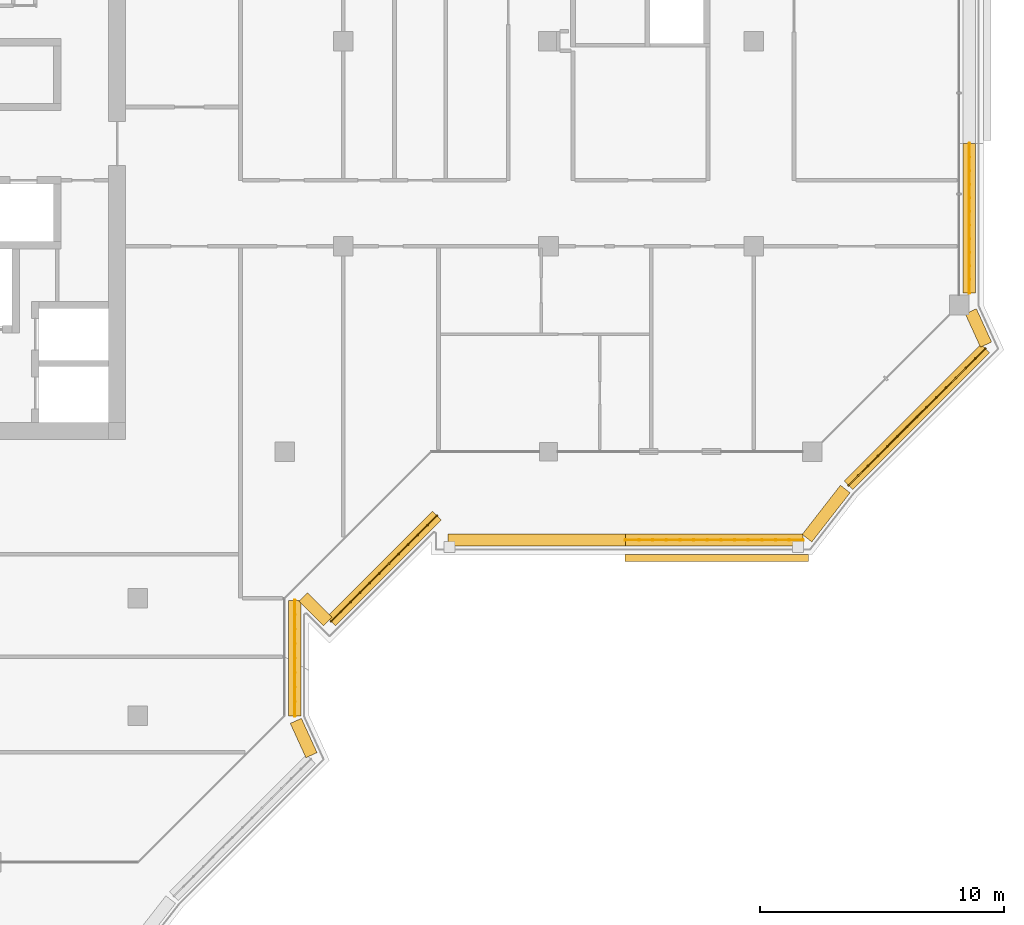
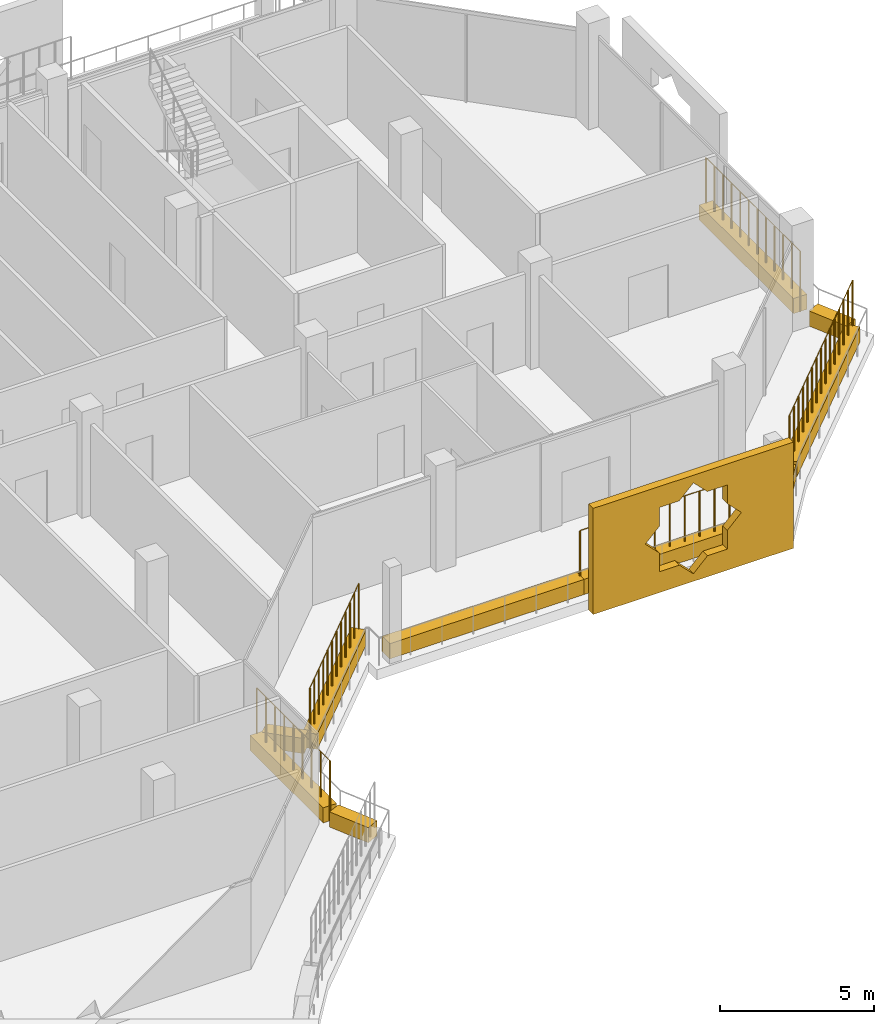
# One storey, part 18 of 21: 11 coverings, 5 railings.
"""IFC4 building model written with IfcOpenShell, lengths in metres."""

from ifc_helpers import new_model, si_unit, direction, frame, origin, origin_2d, place, context, subcontext, project, spatial, polyline, rectangle, circle, outline, extrude, material, material_profile, profile_set, type_object, element, save


model = new_model("IFC4")

# Units and contexts
model_context = context("Model", 3, precision=1e-05, world=origin(), true_north=direction((0.0, 1.0)))
body_context = subcontext(model_context, "Body", "Model", "MODEL_VIEW")
ifc_project = project(units=[si_unit("LENGTHUNIT", "METRE"), si_unit("AREAUNIT", "SQUARE_METRE"), si_unit("VOLUMEUNIT", "CUBIC_METRE"), si_unit("PLANEANGLEUNIT", "RADIAN"), si_unit("MASSUNIT", "GRAM", prefix="KILO")], contexts=[model_context])

# Site, building, storey
site_placement = place(None, origin())
site = spatial("IfcSite", under=ifc_project, at=site_placement, CompositionType="ELEMENT")
building_placement = place(site_placement, origin())
building = spatial("IfcBuilding", under=site, at=building_placement, Name="Kawkab Arch Medical Tower", CompositionType="ELEMENT")
storey_placement = place(building_placement, frame((0.0, 0.0, 319.60009765625)))
storey = spatial("IfcBuildingStorey", under=building, at=storey_placement, Name="L74", CompositionType="ELEMENT", Elevation=319.60009765625)

# Coverings
ifc_material_1 = material(Name="Bronze anodised aluminium mashrabiya panel, eight-point star pattern", Category="aluminium")
ifc_material_profile_1 = material_profile(ifc_material_1, outline(polyline([(-3.75, -2.10009765625), (3.75, -2.10009765625), (3.75, 2.10009765625), (-3.75, 2.10009765625), (-3.75, -2.10009765625)]), holes=[polyline([(1.800048828125, 0.0), (1.272705078125, 0.527099609375), (1.272705078125, 1.272705078125), (0.527099609375, 1.272705078125), (0.0, 1.800048828125), (-0.527099609375, 1.272705078125), (-1.272705078125, 1.272705078125), (-1.272705078125, 0.527099609375), (-1.800048828125, 0.0), (-1.272705078125, -0.527099609375), (-1.272705078125, -1.272705078125), (-0.527099609375, -1.272705078125), (0.0, -1.800048828125), (0.527099609375, -1.272705078125), (1.272705078125, -1.272705078125), (1.272705078125, -0.527099609375), (1.800048828125, 0.0)])]), Name="Mashrabiya panel 7500x4200")
ifc_profile_set_1 = profile_set([ifc_material_profile_1], Name="Bronze anodised aluminium mashrabiya panel, eight-point star pattern")
covering_type_1 = type_object("IfcCoveringType", Name="Mashrabiya panel 7500 x 4200", PredefinedType="USERDEFINED", material=ifc_profile_set_1)
covering_1_placement = place(storey_placement, frame((48.87890625, -29.39990234375, 1.699951171875), z_axis=(0.0, -1.0, 0.0), x_axis=(1.0, 0.0, 0.0)))
element("IfcCovering", 1, at=covering_1_placement, inside=storey, type_object=covering_type_1, Name="Mashrabiya panel L74.LOG-01-01.7", ObjectType="SCREEN", PredefinedType="USERDEFINED", context=body_context, shape_type="SweptSolid", body=[
    extrude(outline(polyline([(-3.75, -2.10009765625), (3.75, -2.10009765625), (3.75, 2.10009765625), (-3.75, 2.10009765625), (-3.75, -2.10009765625)]), holes=[polyline([(1.800048828125, 0.0), (1.272705078125, 0.527099609375), (1.272705078125, 1.272705078125), (0.527099609375, 1.272705078125), (0.0, 1.800048828125), (-0.527099609375, 1.272705078125), (-1.272705078125, 1.272705078125), (-1.272705078125, 0.527099609375), (-1.800048828125, 0.0), (-1.272705078125, -0.527099609375), (-1.272705078125, -1.272705078125), (-0.527099609375, -1.272705078125), (0.0, -1.800048828125), (0.527099609375, -1.272705078125), (1.272705078125, -1.272705078125), (1.272705078125, -0.527099609375), (1.800048828125, 0.0)])]), origin(), (0.0, 0.0, 1.0), 0.300048828125),
])
ifc_material_2 = material(Name="Planting soil in a precast trough", Category="concrete")
ifc_material_profile_2 = material_profile(ifc_material_2, rectangle(XDim=0.5, YDim=0.60009765625, at=origin_2d()), Name="Trough 500x600")
ifc_profile_set_2 = profile_set([ifc_material_profile_2], Name="Planting soil in a precast trough")
covering_type_2 = type_object("IfcCoveringType", Name="Planter trough 500 x 600", PredefinedType="USERDEFINED", material=ifc_profile_set_2)
covering_2_placement = place(storey_placement, frame((59.219970703125, -12.60009765625, 0.2998046875), z_axis=(0.0, -1.0, 0.0), x_axis=(1.0, 0.0, 0.0)))
element("IfcCovering", 2, at=covering_2_placement, inside=storey, type_object=covering_type_2, Name="Planter L74.LOG-01-01.23", ObjectType="PLANTER", PredefinedType="USERDEFINED", context=body_context, shape_type="SweptSolid", body=[
    extrude(rectangle(XDim=0.5, YDim=0.60009765625, at=origin_2d()), origin(), (0.0, 0.0, 1.0), 6.119873046875),
])
covering_3_placement = place(storey_placement, frame((59.280029296875, -19.4580078125, 0.2998046875), z_axis=(0.415189748133, -0.909734836667, 0.0), x_axis=(0.909734836667, 0.415189748133, 0.0)))
element("IfcCovering", 3, at=covering_3_placement, inside=storey, type_object=covering_type_2, Name="Planter L74.LOG-01-01.24", ObjectType="PLANTER", PredefinedType="USERDEFINED", context=body_context, shape_type="SweptSolid", body=[
    extrude(rectangle(XDim=0.5, YDim=0.60009765625, at=origin_2d()), origin(), (0.0, 0.0, 1.0), 1.498291015625),
])
covering_4_placement = place(storey_placement, frame((59.873046875, -20.98291015625, 0.2998046875), z_axis=(-0.707106781187, -0.707106781187, 0.0), x_axis=(0.707106781187, -0.707106781187, 0.0)))
element("IfcCovering", 4, at=covering_4_placement, inside=storey, type_object=covering_type_2, Name="Planter L74.LOG-01-01.25", ObjectType="PLANTER", PredefinedType="USERDEFINED", context=body_context, shape_type="SweptSolid", body=[
    extrude(rectangle(XDim=0.5, YDim=0.60009765625, at=origin_2d()), origin(), (0.0, 0.0, 1.0), 7.919677734375),
])
covering_5_placement = place(storey_placement, frame((54.14111328125, -26.73193359375, 0.2998046875), z_axis=(-0.614099956103, -0.789228258436, 0.0), x_axis=(0.789228258436, -0.614099956103, 0.0)))
element("IfcCovering", 5, at=covering_5_placement, inside=storey, type_object=covering_type_2, Name="Planter L74.LOG-01-01.26", ObjectType="PLANTER", PredefinedType="USERDEFINED", context=body_context, shape_type="SweptSolid", body=[
    extrude(rectangle(XDim=0.5, YDim=0.60009765625, at=origin_2d()), origin(), (0.0, 0.0, 1.0), 2.545654296875),
])
for number, where, z_axis, x_axis, name in (
    (6, (52.416015625, -28.820068359375, 0.2998046875), (-1.0, 0.0, 0.0), (0.0, -1.0, 0.0), "Planter L74.LOG-01-01.27"),
    (7, (45.14794921875, -28.820068359375, 0.2998046875), (-1.0, 0.0, 0.0), (0.0, -1.0, 0.0), "Planter L74.LOG-01-01.28"),
):
    element("IfcCovering", number, at=place(storey_placement, frame(where, z_axis=z_axis, x_axis=x_axis)), inside=storey, type_object=covering_type_2, Name=name, ObjectType="PLANTER", PredefinedType="USERDEFINED", context=body_context, shape_type="SweptSolid", body=[
        extrude(rectangle(XDim=0.5, YDim=0.60009765625, at=origin_2d()), origin(), (0.0, 0.0, 1.0), 7.26806640625),
    ])
covering_6_placement = place(storey_placement, frame((37.43701171875, -27.820068359375, 0.2998046875), z_axis=(-0.707206504313, -0.707007043994, 0.0), x_axis=(0.707007043994, -0.707206504313, 0.0)))
element("IfcCovering", 8, at=covering_6_placement, inside=storey, type_object=covering_type_2, Name="Planter L74.LOG-01-01.29", ObjectType="PLANTER", PredefinedType="USERDEFINED", context=body_context, shape_type="SweptSolid", body=[
    extrude(rectangle(XDim=0.5, YDim=0.60009765625, at=origin_2d()), origin(), (0.0, 0.0, 1.0), 6.1201171875),
])
covering_7_placement = place(storey_placement, frame((32.967041015625, -32.14697265625, 0.2998046875), z_axis=(-0.707192746389, 0.707020805532, 0.0), x_axis=(-0.707020805532, -0.707192746389, 0.0)))
element("IfcCovering", 9, at=covering_7_placement, inside=storey, type_object=covering_type_2, Name="Planter L74.LOG-01-01.30", ObjectType="PLANTER", PredefinedType="USERDEFINED", context=body_context, shape_type="SweptSolid", body=[
    extrude(rectangle(XDim=0.5, YDim=0.60009765625, at=origin_2d()), origin(), (0.0, 0.0, 1.0), 1.419921875),
])
covering_8_placement = place(storey_placement, frame((31.6201171875, -31.284912109375, 0.2998046875), z_axis=(0.0, -1.0, 0.0), x_axis=(1.0, 0.0, 0.0)))
element("IfcCovering", 10, at=covering_8_placement, inside=storey, type_object=covering_type_2, Name="Planter L74.LOG-01-01.31", ObjectType="PLANTER", PredefinedType="USERDEFINED", context=body_context, shape_type="SweptSolid", body=[
    extrude(rectangle(XDim=0.5, YDim=0.60009765625, at=origin_2d()), origin(), (0.0, 0.0, 1.0), 4.740966796875),
])
covering_9_placement = place(storey_placement, frame((31.660888671875, -36.217041015625, 0.2998046875), z_axis=(0.415363486165, -0.909655525109, 0.0), x_axis=(0.909655525109, 0.415363486165, 0.0)))
element("IfcCovering", 11, at=covering_9_placement, inside=storey, type_object=covering_type_2, Name="Planter L74.LOG-01-01.32", ObjectType="PLANTER", PredefinedType="USERDEFINED", context=body_context, shape_type="SweptSolid", body=[
    extrude(rectangle(XDim=0.5, YDim=0.60009765625, at=origin_2d()), origin(), (0.0, 0.0, 1.0), 1.54345703125),
])

# Railings
ifc_material_3 = material(Name="Bronze anodised aluminium trellis for climbing plants", Category="aluminium")
railing_type = type_object("IfcRailingType", Name="Planting trellis 2400", PredefinedType="USERDEFINED", material=ifc_material_3)
railing_1_placement = place(storey_placement, frame((59.219970703125, -12.60009765625, 0.0)))
element("IfcRailing", 12, at=railing_1_placement, inside=storey, type_object=railing_type, Name="Planting trellis L74.LOG-01-01.23", ObjectType="TRELLIS", PredefinedType="USERDEFINED", context=body_context, shape_type="SweptSolid", body=[
    extrude(circle(Radius=0.01513671875, at=origin_2d()), frame((0.0, 0.0, 2.384765625), z_axis=(0.0, -1.0, 0.0), x_axis=(1.0, 0.0, 0.0)), (0.0, 0.0, 1.0), 6.119873046875),
    extrude(circle(Radius=0.030029296875, at=origin_2d()), origin(), (0.0, 0.0, 1.0), 2.369873046875),
    extrude(circle(Radius=0.030029296875, at=origin_2d()), frame((0.0, -0.556396484375, 0.0)), (0.0, 0.0, 1.0), 2.369873046875),
    extrude(circle(Radius=0.030029296875, at=origin_2d()), frame((0.0, -1.11279296875, 0.0)), (0.0, 0.0, 1.0), 2.369873046875),
    extrude(circle(Radius=0.030029296875, at=origin_2d()), frame((0.0, -1.6689453125, 0.0)), (0.0, 0.0, 1.0), 2.369873046875),
    extrude(circle(Radius=0.030029296875, at=origin_2d()), frame((0.0, -2.225341796875, 0.0)), (0.0, 0.0, 1.0), 2.369873046875),
    extrude(circle(Radius=0.030029296875, at=origin_2d()), frame((0.0, -2.78173828125, 0.0)), (0.0, 0.0, 1.0), 2.369873046875),
    extrude(circle(Radius=0.030029296875, at=origin_2d()), frame((0.0, -3.338134765625, 0.0)), (0.0, 0.0, 1.0), 2.369873046875),
    extrude(circle(Radius=0.030029296875, at=origin_2d()), frame((0.0, -3.89453125, 0.0)), (0.0, 0.0, 1.0), 2.369873046875),
    extrude(circle(Radius=0.030029296875, at=origin_2d()), frame((0.0, -4.450927734375, 0.0)), (0.0, 0.0, 1.0), 2.369873046875),
    extrude(circle(Radius=0.030029296875, at=origin_2d()), frame((0.0, -5.007080078125, 0.0)), (0.0, 0.0, 1.0), 2.369873046875),
    extrude(circle(Radius=0.030029296875, at=origin_2d()), frame((0.0, -5.5634765625, 0.0)), (0.0, 0.0, 1.0), 2.369873046875),
    extrude(circle(Radius=0.030029296875, at=origin_2d()), frame((0.0, -6.119873046875, 0.0)), (0.0, 0.0, 1.0), 2.369873046875),
])
railing_2_placement = place(storey_placement, frame((59.873046875, -20.98291015625, 0.0)))
element("IfcRailing", 13, at=railing_2_placement, inside=storey, type_object=railing_type, Name="Planting trellis L74.LOG-01-01.25", ObjectType="TRELLIS", PredefinedType="USERDEFINED", context=body_context, shape_type="SweptSolid", body=[
    extrude(circle(Radius=0.01513671875, at=origin_2d()), frame((0.0, 0.0, 2.384765625), z_axis=(-0.707106781187, -0.707106781187, 0.0), x_axis=(0.707106781187, -0.707106781187, 0.0)), (0.0, 0.0, 1.0), 7.919677734375),
    extrude(circle(Radius=0.030029296875, at=origin_2d()), origin(), (0.0, 0.0, 1.0), 2.369873046875),
    extrude(circle(Radius=0.030029296875, at=origin_2d()), frame((-0.39990234375, -0.39990234375, 0.0)), (0.0, 0.0, 1.0), 2.369873046875),
    extrude(circle(Radius=0.030029296875, at=origin_2d()), frame((-0.800048828125, -0.800048828125, 0.0)), (0.0, 0.0, 1.0), 2.369873046875),
    extrude(circle(Radius=0.030029296875, at=origin_2d()), frame((-1.199951171875, -1.199951171875, 0.0)), (0.0, 0.0, 1.0), 2.369873046875),
    extrude(circle(Radius=0.030029296875, at=origin_2d()), frame((-1.60009765625, -1.60009765625, 0.0)), (0.0, 0.0, 1.0), 2.369873046875),
    extrude(circle(Radius=0.030029296875, at=origin_2d()), frame((-2.0, -2.0, 0.0)), (0.0, 0.0, 1.0), 2.369873046875),
    extrude(circle(Radius=0.030029296875, at=origin_2d()), frame((-2.400146484375, -2.400146484375, 0.0)), (0.0, 0.0, 1.0), 2.369873046875),
    extrude(circle(Radius=0.030029296875, at=origin_2d()), frame((-2.800048828125, -2.800048828125, 0.0)), (0.0, 0.0, 1.0), 2.369873046875),
    extrude(circle(Radius=0.030029296875, at=origin_2d()), frame((-3.199951171875, -3.199951171875, 0.0)), (0.0, 0.0, 1.0), 2.369873046875),
    extrude(circle(Radius=0.030029296875, at=origin_2d()), frame((-3.60009765625, -3.60009765625, 0.0)), (0.0, 0.0, 1.0), 2.369873046875),
    extrude(circle(Radius=0.030029296875, at=origin_2d()), frame((-4.0, -4.0, 0.0)), (0.0, 0.0, 1.0), 2.369873046875),
    extrude(circle(Radius=0.030029296875, at=origin_2d()), frame((-4.400146484375, -4.400146484375, 0.0)), (0.0, 0.0, 1.0), 2.369873046875),
    extrude(circle(Radius=0.030029296875, at=origin_2d()), frame((-4.800048828125, -4.800048828125, 0.0)), (0.0, 0.0, 1.0), 2.369873046875),
    extrude(circle(Radius=0.030029296875, at=origin_2d()), frame((-5.2001953125, -5.2001953125, 0.0)), (0.0, 0.0, 1.0), 2.369873046875),
    extrude(circle(Radius=0.030029296875, at=origin_2d()), frame((-5.60009765625, -5.60009765625, 0.0)), (0.0, 0.0, 1.0), 2.369873046875),
])
railing_3_placement = place(storey_placement, frame((52.416015625, -28.820068359375, 0.0)))
element("IfcRailing", 14, at=railing_3_placement, inside=storey, type_object=railing_type, Name="Planting trellis L74.LOG-01-01.27", ObjectType="TRELLIS", PredefinedType="USERDEFINED", context=body_context, shape_type="SweptSolid", body=[
    extrude(circle(Radius=0.01513671875, at=origin_2d()), frame((0.0, 0.0, 2.384765625), z_axis=(-1.0, 0.0, 0.0), x_axis=(0.0, -1.0, 0.0)), (0.0, 0.0, 1.0), 7.26806640625),
    extrude(circle(Radius=0.030029296875, at=origin_2d()), origin(), (0.0, 0.0, 1.0), 2.369873046875),
    extrude(circle(Radius=0.030029296875, at=origin_2d()), frame((-0.55908203125, 0.0, 0.0)), (0.0, 0.0, 1.0), 2.369873046875),
    extrude(circle(Radius=0.030029296875, at=origin_2d()), frame((-1.1181640625, 0.0, 0.0)), (0.0, 0.0, 1.0), 2.369873046875),
    extrude(circle(Radius=0.030029296875, at=origin_2d()), frame((-1.67724609375, 0.0, 0.0)), (0.0, 0.0, 1.0), 2.369873046875),
    extrude(circle(Radius=0.030029296875, at=origin_2d()), frame((-2.236328125, 0.0, 0.0)), (0.0, 0.0, 1.0), 2.369873046875),
    extrude(circle(Radius=0.030029296875, at=origin_2d()), frame((-2.79541015625, 0.0, 0.0)), (0.0, 0.0, 1.0), 2.369873046875),
    extrude(circle(Radius=0.030029296875, at=origin_2d()), frame((-3.3544921875, 0.0, 0.0)), (0.0, 0.0, 1.0), 2.369873046875),
    extrude(circle(Radius=0.030029296875, at=origin_2d()), frame((-3.91357421875, 0.0, 0.0)), (0.0, 0.0, 1.0), 2.369873046875),
    extrude(circle(Radius=0.030029296875, at=origin_2d()), frame((-4.47265625, 0.0, 0.0)), (0.0, 0.0, 1.0), 2.369873046875),
    extrude(circle(Radius=0.030029296875, at=origin_2d()), frame((-5.03173828125, 0.0, 0.0)), (0.0, 0.0, 1.0), 2.369873046875),
    extrude(circle(Radius=0.030029296875, at=origin_2d()), frame((-5.5908203125, 0.0, 0.0)), (0.0, 0.0, 1.0), 2.369873046875),
    extrude(circle(Radius=0.030029296875, at=origin_2d()), frame((-6.14990234375, 0.0, 0.0)), (0.0, 0.0, 1.0), 2.369873046875),
    extrude(circle(Radius=0.030029296875, at=origin_2d()), frame((-6.708984375, 0.0, 0.0)), (0.0, 0.0, 1.0), 2.369873046875),
    extrude(circle(Radius=0.030029296875, at=origin_2d()), frame((-7.26806640625, 0.0, 0.0)), (0.0, 0.0, 1.0), 2.369873046875),
])
railing_4_placement = place(storey_placement, frame((37.43701171875, -27.820068359375, 0.0)))
element("IfcRailing", 15, at=railing_4_placement, inside=storey, type_object=railing_type, Name="Planting trellis L74.LOG-01-01.29", ObjectType="TRELLIS", PredefinedType="USERDEFINED", context=body_context, shape_type="SweptSolid", body=[
    extrude(circle(Radius=0.01513671875, at=origin_2d()), frame((0.0, 0.0, 2.384765625), z_axis=(-0.707206504313, -0.707007043994, 0.0), x_axis=(0.707007043994, -0.707206504313, 0.0)), (0.0, 0.0, 1.0), 6.1201171875),
    extrude(circle(Radius=0.030029296875, at=origin_2d()), origin(), (0.0, 0.0, 1.0), 2.369873046875),
    extrude(circle(Radius=0.030029296875, at=origin_2d()), frame((-0.3935546875, -0.393310546875, 0.0)), (0.0, 0.0, 1.0), 2.369873046875),
    extrude(circle(Radius=0.030029296875, at=origin_2d()), frame((-0.786865234375, -0.78662109375, 0.0)), (0.0, 0.0, 1.0), 2.369873046875),
    extrude(circle(Radius=0.030029296875, at=origin_2d()), frame((-1.180419921875, -1.18017578125, 0.0)), (0.0, 0.0, 1.0), 2.369873046875),
    extrude(circle(Radius=0.030029296875, at=origin_2d()), frame((-1.573974609375, -1.573486328125, 0.0)), (0.0, 0.0, 1.0), 2.369873046875),
    extrude(circle(Radius=0.030029296875, at=origin_2d()), frame((-1.96728515625, -1.966796875, 0.0)), (0.0, 0.0, 1.0), 2.369873046875),
    extrude(circle(Radius=0.030029296875, at=origin_2d()), frame((-2.36083984375, -2.360107421875, 0.0)), (0.0, 0.0, 1.0), 2.369873046875),
    extrude(circle(Radius=0.030029296875, at=origin_2d()), frame((-2.754150390625, -2.75341796875, 0.0)), (0.0, 0.0, 1.0), 2.369873046875),
    extrude(circle(Radius=0.030029296875, at=origin_2d()), frame((-3.147705078125, -3.146728515625, 0.0)), (0.0, 0.0, 1.0), 2.369873046875),
    extrude(circle(Radius=0.030029296875, at=origin_2d()), frame((-3.541259765625, -3.540283203125, 0.0)), (0.0, 0.0, 1.0), 2.369873046875),
    extrude(circle(Radius=0.030029296875, at=origin_2d()), frame((-3.9345703125, -3.93359375, 0.0)), (0.0, 0.0, 1.0), 2.369873046875),
    extrude(circle(Radius=0.030029296875, at=origin_2d()), frame((-4.328125, -4.326904296875, 0.0)), (0.0, 0.0, 1.0), 2.369873046875),
])
railing_5_placement = place(storey_placement, frame((31.6201171875, -31.284912109375, 0.0)))
element("IfcRailing", 16, at=railing_5_placement, inside=storey, type_object=railing_type, Name="Planting trellis L74.LOG-01-01.31", ObjectType="TRELLIS", PredefinedType="USERDEFINED", context=body_context, shape_type="SweptSolid", body=[
    extrude(circle(Radius=0.01513671875, at=origin_2d()), frame((0.0, 0.0, 2.384765625), z_axis=(0.0, -1.0, 0.0), x_axis=(1.0, 0.0, 0.0)), (0.0, 0.0, 1.0), 4.740966796875),
    extrude(circle(Radius=0.030029296875, at=origin_2d()), origin(), (0.0, 0.0, 1.0), 2.369873046875),
    extrude(circle(Radius=0.030029296875, at=origin_2d()), frame((0.0, -0.592529296875, 0.0)), (0.0, 0.0, 1.0), 2.369873046875),
    extrude(circle(Radius=0.030029296875, at=origin_2d()), frame((0.0, -1.185302734375, 0.0)), (0.0, 0.0, 1.0), 2.369873046875),
    extrude(circle(Radius=0.030029296875, at=origin_2d()), frame((0.0, -1.77783203125, 0.0)), (0.0, 0.0, 1.0), 2.369873046875),
    extrude(circle(Radius=0.030029296875, at=origin_2d()), frame((0.0, -2.37060546875, 0.0)), (0.0, 0.0, 1.0), 2.369873046875),
    extrude(circle(Radius=0.030029296875, at=origin_2d()), frame((0.0, -2.963134765625, 0.0)), (0.0, 0.0, 1.0), 2.369873046875),
    extrude(circle(Radius=0.030029296875, at=origin_2d()), frame((0.0, -3.5556640625, 0.0)), (0.0, 0.0, 1.0), 2.369873046875),
    extrude(circle(Radius=0.030029296875, at=origin_2d()), frame((0.0, -4.1484375, 0.0)), (0.0, 0.0, 1.0), 2.369873046875),
    extrude(circle(Radius=0.030029296875, at=origin_2d()), frame((0.0, -4.740966796875, 0.0)), (0.0, 0.0, 1.0), 2.369873046875),
])

save(model, "model.ifc")
